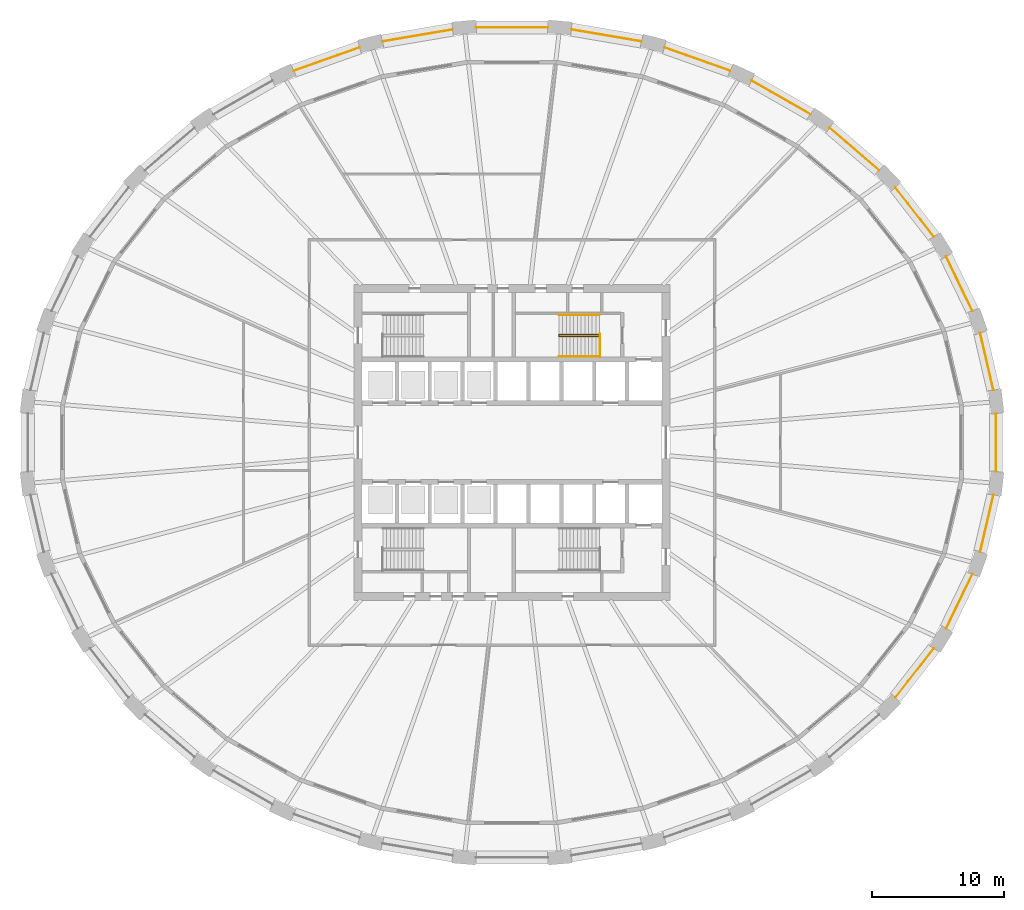
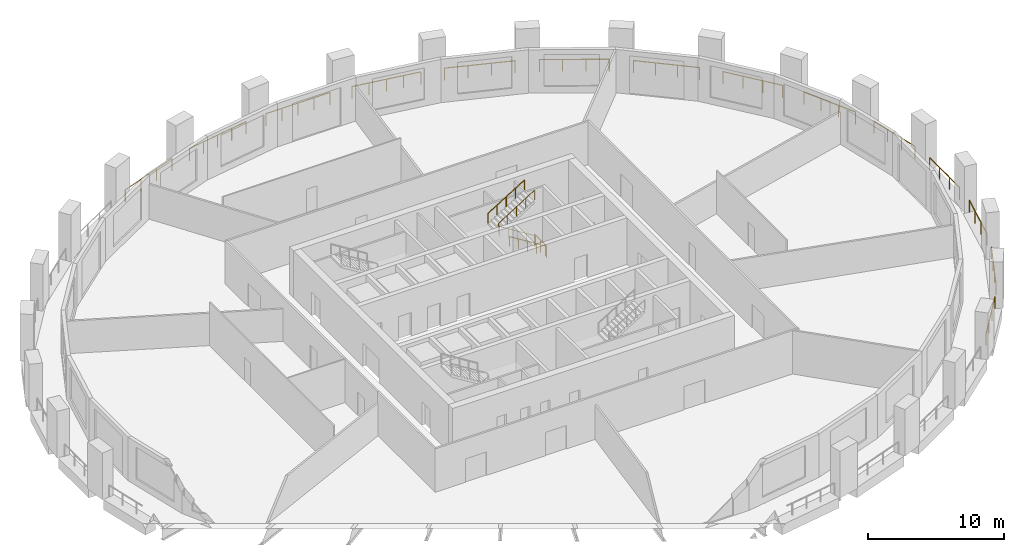
# One storey, part 9 of 10: 18 railings.
"""IFC4 building model written with IfcOpenShell, lengths in metres."""

from ifc_helpers import new_model, si_unit, direction, frame, origin, origin_2d, place, context, subcontext, project, spatial, circle, extrude, material, type_object, element, save


model = new_model("IFC4")

# Units and contexts
model_context = context("Model", 3, precision=1e-05, world=origin(), true_north=direction((0.0, 1.0)))
body_context = subcontext(model_context, "Body", "Model", "MODEL_VIEW")
ifc_project = project(units=[si_unit("LENGTHUNIT", "METRE"), si_unit("AREAUNIT", "SQUARE_METRE"), si_unit("VOLUMEUNIT", "CUBIC_METRE"), si_unit("PLANEANGLEUNIT", "RADIAN"), si_unit("MASSUNIT", "GRAM", prefix="KILO")], contexts=[model_context])

# Site, building, storey
site_placement = place(None, origin())
site = spatial("IfcSite", under=ifc_project, at=site_placement, CompositionType="ELEMENT")
building_placement = place(site_placement, origin())
building = spatial("IfcBuilding", under=site, at=building_placement, Name="Halqa Exchange Tower", CompositionType="ELEMENT")
storey_placement = place(building_placement, frame((0.0, 0.0, 61.300048828125)))
storey = spatial("IfcBuildingStorey", under=building, at=storey_placement, Name="L13", CompositionType="ELEMENT", Elevation=61.300048828125)

# Railings
ifc_material = material(Name="Stainless steel", Category="steel")
railing_type_1 = type_object("IfcRailingType", Name="Guard 1100 stainless steel", PredefinedType="GUARDRAIL", material=ifc_material)
railing_1_placement = place(storey_placement, frame((36.59228515625, 3.98291015625, 0.0)))
element("IfcRailing", 1, at=railing_1_placement, inside=storey, type_object=railing_type_1, Name="Loggia guard 1", PredefinedType="GUARDRAIL", context=body_context, shape_type="SweptSolid", body=[
    extrude(circle(Radius=0.02392578125, at=origin_2d()), frame((0.0, 0.0, 1.076171875), z_axis=(-0.226035930203, 0.974118965146, 0.0), x_axis=(-0.974118965146, -0.226035930203, 0.0)), (0.0, 0.0, 1.0), 4.455322265625),
    extrude(circle(Radius=0.02099609375, at=origin_2d()), origin(), (0.0, 0.0, 1.0), 1.052001953125),
    extrude(circle(Radius=0.02099609375, at=origin_2d()), frame((-0.335693359375, 1.44677734375, 0.0)), (0.0, 0.0, 1.0), 1.052001953125),
    extrude(circle(Radius=0.02099609375, at=origin_2d()), frame((-0.67138671875, 2.893310546875, 0.0)), (0.0, 0.0, 1.0), 1.052001953125),
    extrude(circle(Radius=0.02099609375, at=origin_2d()), frame((-1.007080078125, 4.340087890625, 0.0)), (0.0, 0.0, 1.0), 1.052001953125),
])
railing_2_placement = place(storey_placement, frame((34.989990234375, 10.010009765625, 0.0)))
element("IfcRailing", 2, at=railing_2_placement, inside=storey, type_object=railing_type_1, Name="Loggia guard 2", PredefinedType="GUARDRAIL", context=body_context, shape_type="SweptSolid", body=[
    extrude(circle(Radius=0.02392578125, at=origin_2d()), frame((0.0, 0.0, 1.076171875), z_axis=(-0.435090791332, 0.900386585472, 0.0), x_axis=(-0.900386585472, -0.435090791332, 0.0)), (0.0, 0.0, 1.0), 4.574951171875),
    extrude(circle(Radius=0.02099609375, at=origin_2d()), origin(), (0.0, 0.0, 1.0), 1.052001953125),
    extrude(circle(Radius=0.02099609375, at=origin_2d()), frame((-0.66357421875, 1.373046875, 0.0)), (0.0, 0.0, 1.0), 1.052001953125),
    extrude(circle(Radius=0.02099609375, at=origin_2d()), frame((-1.326904296875, 2.74609375, 0.0)), (0.0, 0.0, 1.0), 1.052001953125),
    extrude(circle(Radius=0.02099609375, at=origin_2d()), frame((-1.990478515625, 4.119140625, 0.0)), (0.0, 0.0, 1.0), 1.052001953125),
])
railing_3_placement = place(storey_placement, frame((32.0546875, 15.649169921875, 0.0)))
element("IfcRailing", 3, at=railing_3_placement, inside=storey, type_object=railing_type_1, Name="Loggia guard 3", PredefinedType="GUARDRAIL", context=body_context, shape_type="SweptSolid", body=[
    extrude(circle(Radius=0.02392578125, at=origin_2d()), frame((0.0, 0.0, 1.076171875), z_axis=(-0.614797843814, 0.788684735012, 0.0), x_axis=(-0.788684735012, -0.614797843814, 0.0)), (0.0, 0.0, 1.0), 4.749755859375),
    extrude(circle(Radius=0.02099609375, at=origin_2d()), origin(), (0.0, 0.0, 1.0), 1.052001953125),
    extrude(circle(Radius=0.02099609375, at=origin_2d()), frame((-0.973388671875, 1.248779296875, 0.0)), (0.0, 0.0, 1.0), 1.052001953125),
    extrude(circle(Radius=0.02099609375, at=origin_2d()), frame((-1.94677734375, 2.497314453125, 0.0)), (0.0, 0.0, 1.0), 1.052001953125),
    extrude(circle(Radius=0.02099609375, at=origin_2d()), frame((-2.920166015625, 3.74609375, 0.0)), (0.0, 0.0, 1.0), 1.052001953125),
])
railing_4_placement = place(storey_placement, frame((27.897705078125, 20.690673828125, 0.0)))
element("IfcRailing", 4, at=railing_4_placement, inside=storey, type_object=railing_type_1, Name="Loggia guard 4", PredefinedType="GUARDRAIL", context=body_context, shape_type="SweptSolid", body=[
    extrude(circle(Radius=0.02392578125, at=origin_2d()), frame((0.0, 0.0, 1.076171875), z_axis=(-0.75924963979, 0.650799496373, 0.0), x_axis=(-0.650799496373, -0.75924963979, 0.0)), (0.0, 0.0, 1.0), 4.950439453125),
    extrude(circle(Radius=0.02099609375, at=origin_2d()), origin(), (0.0, 0.0, 1.0), 1.052001953125),
    extrude(circle(Radius=0.02099609375, at=origin_2d()), frame((-1.2529296875, 1.073974609375, 0.0)), (0.0, 0.0, 1.0), 1.052001953125),
    extrude(circle(Radius=0.02099609375, at=origin_2d()), frame((-2.505615234375, 2.147705078125, 0.0)), (0.0, 0.0, 1.0), 1.052001953125),
    extrude(circle(Radius=0.02099609375, at=origin_2d()), frame((-3.758544921875, 3.2216796875, 0.0)), (0.0, 0.0, 1.0), 1.052001953125),
])
railing_5_placement = place(storey_placement, frame((22.6748046875, 24.9453125, 0.0)))
element("IfcRailing", 5, at=railing_5_placement, inside=storey, type_object=railing_type_1, Name="Loggia guard 5", PredefinedType="GUARDRAIL", context=body_context, shape_type="SweptSolid", body=[
    extrude(circle(Radius=0.02392578125, at=origin_2d()), frame((0.0, 0.0, 1.076171875), z_axis=(-0.867766755892, 0.496971686688, 0.0), x_axis=(-0.496971686688, -0.867766755892, 0.0)), (0.0, 0.0, 1.0), 5.14501953125),
    extrude(circle(Radius=0.02099609375, at=origin_2d()), origin(), (0.0, 0.0, 1.0), 1.052001953125),
    extrude(circle(Radius=0.02099609375, at=origin_2d()), frame((-1.48828125, 0.852294921875, 0.0)), (0.0, 0.0, 1.0), 1.052001953125),
    extrude(circle(Radius=0.02099609375, at=origin_2d()), frame((-2.976318359375, 1.70458984375, 0.0)), (0.0, 0.0, 1.0), 1.052001953125),
    extrude(circle(Radius=0.02099609375, at=origin_2d()), frame((-4.464599609375, 2.556884765625, 0.0)), (0.0, 0.0, 1.0), 1.052001953125),
])
railing_6_placement = place(storey_placement, frame((16.581298828125, 28.250732421875, 0.0)))
element("IfcRailing", 6, at=railing_6_placement, inside=storey, type_object=railing_type_1, Name="Loggia guard 6", PredefinedType="GUARDRAIL", context=body_context, shape_type="SweptSolid", body=[
    extrude(circle(Radius=0.02392578125, at=origin_2d()), frame((0.0, 0.0, 1.076171875), z_axis=(-0.942376278885, 0.334554851998, 0.0), x_axis=(-0.334554851998, -0.942376278885, 0.0)), (0.0, 0.0, 1.0), 5.305908203125),
    extrude(circle(Radius=0.02099609375, at=origin_2d()), origin(), (0.0, 0.0, 1.0), 1.052001953125),
    extrude(circle(Radius=0.02099609375, at=origin_2d()), frame((-1.666748046875, 0.591796875, 0.0)), (0.0, 0.0, 1.0), 1.052001953125),
    extrude(circle(Radius=0.02099609375, at=origin_2d()), frame((-3.33349609375, 1.183349609375, 0.0)), (0.0, 0.0, 1.0), 1.052001953125),
    extrude(circle(Radius=0.02099609375, at=origin_2d()), frame((-5.000244140625, 1.775146484375, 0.0)), (0.0, 0.0, 1.0), 1.052001953125),
])
railing_7_placement = place(storey_placement, frame((9.845703125, 30.478515625, 0.0)))
element("IfcRailing", 7, at=railing_7_placement, inside=storey, type_object=railing_type_1, Name="Loggia guard 7", PredefinedType="GUARDRAIL", context=body_context, shape_type="SweptSolid", body=[
    extrude(circle(Radius=0.02392578125, at=origin_2d()), frame((0.0, 0.0, 1.076171875), z_axis=(-0.985784942873, 0.168012042438, 0.0), x_axis=(-0.168012042438, -0.985784942873, 0.0)), (0.0, 0.0, 1.0), 5.411376953125),
    extrude(circle(Radius=0.02099609375, at=origin_2d()), origin(), (0.0, 0.0, 1.0), 1.052001953125),
    extrude(circle(Radius=0.02099609375, at=origin_2d()), frame((-1.33349609375, 0.227294921875, 0.0)), (0.0, 0.0, 1.0), 1.052001953125),
    extrude(circle(Radius=0.02099609375, at=origin_2d()), frame((-2.667236328125, 0.45458984375, 0.0)), (0.0, 0.0, 1.0), 1.052001953125),
    extrude(circle(Radius=0.02099609375, at=origin_2d()), frame((-4.0009765625, 0.681884765625, 0.0)), (0.0, 0.0, 1.0), 1.052001953125),
    extrude(circle(Radius=0.02099609375, at=origin_2d()), frame((-5.33447265625, 0.9091796875, 0.0)), (0.0, 0.0, 1.0), 1.052001953125),
])
railing_8_placement = place(storey_placement, frame((2.72412109375, 31.5390625, 0.0)))
element("IfcRailing", 8, at=railing_8_placement, inside=storey, type_object=railing_type_1, Name="Loggia guard 8", PredefinedType="GUARDRAIL", context=body_context, shape_type="SweptSolid", body=[
    extrude(circle(Radius=0.02392578125, at=origin_2d()), frame((0.0, 0.0, 1.076171875), z_axis=(-1.0, 0.0, 0.0), x_axis=(0.0, -1.0, 0.0)), (0.0, 0.0, 1.0), 5.4482421875),
    extrude(circle(Radius=0.02099609375, at=origin_2d()), origin(), (0.0, 0.0, 1.0), 1.052001953125),
    extrude(circle(Radius=0.02099609375, at=origin_2d()), frame((-1.362060546875, 0.0, 0.0)), (0.0, 0.0, 1.0), 1.052001953125),
    extrude(circle(Radius=0.02099609375, at=origin_2d()), frame((-2.72412109375, 0.0, 0.0)), (0.0, 0.0, 1.0), 1.052001953125),
    extrude(circle(Radius=0.02099609375, at=origin_2d()), frame((-4.086181640625, 0.0, 0.0)), (0.0, 0.0, 1.0), 1.052001953125),
    extrude(circle(Radius=0.02099609375, at=origin_2d()), frame((-5.4482421875, 0.0, 0.0)), (0.0, 0.0, 1.0), 1.052001953125),
])
railing_9_placement = place(storey_placement, frame((-4.51123046875, 31.3876953125, 0.0)))
element("IfcRailing", 9, at=railing_9_placement, inside=storey, type_object=railing_type_1, Name="Loggia guard 9", PredefinedType="GUARDRAIL", context=body_context, shape_type="SweptSolid", body=[
    extrude(circle(Radius=0.02392578125, at=origin_2d()), frame((0.0, 0.0, 1.076171875), z_axis=(-0.985784942873, -0.168012042438, 0.0), x_axis=(0.168012042438, -0.985784942873, 0.0)), (0.0, 0.0, 1.0), 5.411376953125),
    extrude(circle(Radius=0.02099609375, at=origin_2d()), origin(), (0.0, 0.0, 1.0), 1.052001953125),
    extrude(circle(Radius=0.02099609375, at=origin_2d()), frame((-1.33349609375, -0.227294921875, 0.0)), (0.0, 0.0, 1.0), 1.052001953125),
    extrude(circle(Radius=0.02099609375, at=origin_2d()), frame((-2.667236328125, -0.45458984375, 0.0)), (0.0, 0.0, 1.0), 1.052001953125),
    extrude(circle(Radius=0.02099609375, at=origin_2d()), frame((-4.0009765625, -0.681884765625, 0.0)), (0.0, 0.0, 1.0), 1.052001953125),
    extrude(circle(Radius=0.02099609375, at=origin_2d()), frame((-5.33447265625, -0.9091796875, 0.0)), (0.0, 0.0, 1.0), 1.052001953125),
])
railing_10_placement = place(storey_placement, frame((-11.5810546875, 30.02587890625, 0.0)))
element("IfcRailing", 10, at=railing_10_placement, inside=storey, type_object=railing_type_1, Name="Loggia guard 10", PredefinedType="GUARDRAIL", context=body_context, shape_type="SweptSolid", body=[
    extrude(circle(Radius=0.02392578125, at=origin_2d()), frame((0.0, 0.0, 1.076171875), z_axis=(-0.942376278885, -0.334554851998, 0.0), x_axis=(0.334554851998, -0.942376278885, 0.0)), (0.0, 0.0, 1.0), 5.305908203125),
    extrude(circle(Radius=0.02099609375, at=origin_2d()), origin(), (0.0, 0.0, 1.0), 1.052001953125),
    extrude(circle(Radius=0.02099609375, at=origin_2d()), frame((-1.666748046875, -0.591796875, 0.0)), (0.0, 0.0, 1.0), 1.052001953125),
    extrude(circle(Radius=0.02099609375, at=origin_2d()), frame((-3.33349609375, -1.183349609375, 0.0)), (0.0, 0.0, 1.0), 1.052001953125),
    extrude(circle(Radius=0.02099609375, at=origin_2d()), frame((-5.000244140625, -1.775146484375, 0.0)), (0.0, 0.0, 1.0), 1.052001953125),
])
railing_11_placement = place(storey_placement, frame((29.134521484375, -19.395263671875, 0.0)))
element("IfcRailing", 11, at=railing_11_placement, inside=storey, type_object=railing_type_1, Name="Loggia guard 29", PredefinedType="GUARDRAIL", context=body_context, shape_type="SweptSolid", body=[
    extrude(circle(Radius=0.02392578125, at=origin_2d()), frame((0.0, 0.0, 1.076171875), z_axis=(0.614797843814, 0.788684735012, 0.0), x_axis=(-0.788684735012, 0.614797843814, 0.0)), (0.0, 0.0, 1.0), 4.749755859375),
    extrude(circle(Radius=0.02099609375, at=origin_2d()), origin(), (0.0, 0.0, 1.0), 1.052001953125),
    extrude(circle(Radius=0.02099609375, at=origin_2d()), frame((0.973388671875, 1.248779296875, 0.0)), (0.0, 0.0, 1.0), 1.052001953125),
    extrude(circle(Radius=0.02099609375, at=origin_2d()), frame((1.94677734375, 2.497314453125, 0.0)), (0.0, 0.0, 1.0), 1.052001953125),
    extrude(circle(Radius=0.02099609375, at=origin_2d()), frame((2.920166015625, 3.74609375, 0.0)), (0.0, 0.0, 1.0), 1.052001953125),
])
railing_12_placement = place(storey_placement, frame((32.99951171875, -14.129150390625, 0.0)))
element("IfcRailing", 12, at=railing_12_placement, inside=storey, type_object=railing_type_1, Name="Loggia guard 30", PredefinedType="GUARDRAIL", context=body_context, shape_type="SweptSolid", body=[
    extrude(circle(Radius=0.02392578125, at=origin_2d()), frame((0.0, 0.0, 1.076171875), z_axis=(0.435090791332, 0.900386585472, 0.0), x_axis=(-0.900386585472, 0.435090791332, 0.0)), (0.0, 0.0, 1.0), 4.574951171875),
    extrude(circle(Radius=0.02099609375, at=origin_2d()), origin(), (0.0, 0.0, 1.0), 1.052001953125),
    extrude(circle(Radius=0.02099609375, at=origin_2d()), frame((0.66357421875, 1.373046875, 0.0)), (0.0, 0.0, 1.0), 1.052001953125),
    extrude(circle(Radius=0.02099609375, at=origin_2d()), frame((1.326904296875, 2.74609375, 0.0)), (0.0, 0.0, 1.0), 1.052001953125),
    extrude(circle(Radius=0.02099609375, at=origin_2d()), frame((1.990478515625, 4.119140625, 0.0)), (0.0, 0.0, 1.0), 1.052001953125),
])
railing_13_placement = place(storey_placement, frame((35.585205078125, -8.322998046875, 0.0)))
element("IfcRailing", 13, at=railing_13_placement, inside=storey, type_object=railing_type_1, Name="Loggia guard 31", PredefinedType="GUARDRAIL", context=body_context, shape_type="SweptSolid", body=[
    extrude(circle(Radius=0.02392578125, at=origin_2d()), frame((0.0, 0.0, 1.076171875), z_axis=(0.226035930203, 0.974118965146, 0.0), x_axis=(-0.974118965146, 0.226035930203, 0.0)), (0.0, 0.0, 1.0), 4.455322265625),
    extrude(circle(Radius=0.02099609375, at=origin_2d()), origin(), (0.0, 0.0, 1.0), 1.052001953125),
    extrude(circle(Radius=0.02099609375, at=origin_2d()), frame((0.335693359375, 1.44677734375, 0.0)), (0.0, 0.0, 1.0), 1.052001953125),
    extrude(circle(Radius=0.02099609375, at=origin_2d()), frame((0.67138671875, 2.893310546875, 0.0)), (0.0, 0.0, 1.0), 1.052001953125),
    extrude(circle(Radius=0.02099609375, at=origin_2d()), frame((1.007080078125, 4.340087890625, 0.0)), (0.0, 0.0, 1.0), 1.052001953125),
])
railing_14_placement = place(storey_placement, frame((36.795654296875, -2.206298828125, 0.0)))
element("IfcRailing", 14, at=railing_14_placement, inside=storey, type_object=railing_type_1, Name="Loggia guard 32", PredefinedType="GUARDRAIL", context=body_context, shape_type="SweptSolid", body=[
    extrude(circle(Radius=0.02392578125, at=origin_2d()), frame((0.0, 0.0, 1.076171875), z_axis=(0.0, 1.0, 0.0), x_axis=(-1.0, 0.0, 0.0)), (0.0, 0.0, 1.0), 4.41259765625),
    extrude(circle(Radius=0.02099609375, at=origin_2d()), origin(), (0.0, 0.0, 1.0), 1.052001953125),
    extrude(circle(Radius=0.02099609375, at=origin_2d()), frame((0.0, 1.470947265625, 0.0)), (0.0, 0.0, 1.0), 1.052001953125),
    extrude(circle(Radius=0.02099609375, at=origin_2d()), frame((0.0, 2.941650390625, 0.0)), (0.0, 0.0, 1.0), 1.052001953125),
    extrude(circle(Radius=0.02099609375, at=origin_2d()), frame((0.0, 4.41259765625, 0.0)), (0.0, 0.0, 1.0), 1.052001953125),
])
railing_type_2 = type_object("IfcRailingType", Name="Stair handrail 900", PredefinedType="HANDRAIL", material=ifc_material)
railing_15_placement = place(storey_placement, frame((6.64990234375, 8.06005859375, 0.175048828125)))
element("IfcRailing", 15, at=railing_15_placement, inside=storey, type_object=railing_type_2, Name="Handrail ST2.1", PredefinedType="HANDRAIL", context=body_context, shape_type="SweptSolid", body=[
    extrude(circle(Radius=0.02392578125, at=origin_2d()), frame((0.0, 0.0, 0.8759765625), z_axis=(-0.848009633417, 0.0, 0.529980812513), x_axis=(0.0, -1.0, 0.0)), (0.0, 0.0, 1.0), 3.6318359375),
    extrude(circle(Radius=0.02392578125, at=origin_2d()), frame((-3.079833984375, 0.0, 2.80078125), z_axis=(0.0, 0.595870227118, 0.803080738428), x_axis=(-1.0, 0.0, 0.0)), (0.0, 0.0, 1.0), 0.218017578125),
    extrude(circle(Radius=0.02392578125, at=origin_2d()), frame((-3.079833984375, 0.1298828125, 2.9755859375), z_axis=(0.847979421464, 0.0, 0.530029150871), x_axis=(0.0, 1.0, 0.0)), (0.0, 0.0, 1.0), 3.632080078125),
    extrude(circle(Radius=0.02099609375, at=origin_2d()), origin(), (0.0, 0.0, 1.0), 0.851806640625),
    extrude(circle(Radius=0.02099609375, at=origin_2d()), frame((-0.77001953125, 0.0, 0.481201171875)), (0.0, 0.0, 1.0), 0.851806640625),
    extrude(circle(Radius=0.02099609375, at=origin_2d()), frame((-1.5400390625, 0.0, 0.96240234375)), (0.0, 0.0, 1.0), 0.851806640625),
    extrude(circle(Radius=0.02099609375, at=origin_2d()), frame((-2.309814453125, 0.0, 1.443603515625)), (0.0, 0.0, 1.0), 0.851806640625),
    extrude(circle(Radius=0.02099609375, at=origin_2d()), frame((-3.079833984375, 0.0, 1.9248046875)), (0.0, 0.0, 1.0), 0.851806640625),
    extrude(circle(Radius=0.02099609375, at=origin_2d()), frame((-3.079833984375, 0.1298828125, 2.099853515625)), (0.0, 0.0, 1.0), 0.851806640625),
    extrude(circle(Radius=0.02099609375, at=origin_2d()), frame((-2.309814453125, 0.1298828125, 2.5810546875)), (0.0, 0.0, 1.0), 0.851806640625),
    extrude(circle(Radius=0.02099609375, at=origin_2d()), frame((-1.5400390625, 0.1298828125, 3.0625)), (0.0, 0.0, 1.0), 0.851806640625),
    extrude(circle(Radius=0.02099609375, at=origin_2d()), frame((-0.77001953125, 0.1298828125, 3.543701171875)), (0.0, 0.0, 1.0), 0.851806640625),
    extrude(circle(Radius=0.02099609375, at=origin_2d()), frame((0.0, 0.1298828125, 4.02490234375)), (0.0, 0.0, 1.0), 0.851806640625),
])
railing_16_placement = place(storey_placement, frame((6.64990234375, 6.550048828125, 0.175048828125)))
element("IfcRailing", 16, at=railing_16_placement, inside=storey, type_object=railing_type_2, Name="Handrail ST2.2", PredefinedType="HANDRAIL", context=body_context, shape_type="SweptSolid", body=[
    extrude(circle(Radius=0.02392578125, at=origin_2d()), frame((0.0, 0.0, 0.8759765625), z_axis=(-0.848009633417, 0.0, 0.529980812513), x_axis=(0.0, -1.0, 0.0)), (0.0, 0.0, 1.0), 3.6318359375),
    extrude(circle(Radius=0.02099609375, at=origin_2d()), origin(), (0.0, 0.0, 1.0), 0.851806640625),
    extrude(circle(Radius=0.02099609375, at=origin_2d()), frame((-0.77001953125, 0.0, 0.481201171875)), (0.0, 0.0, 1.0), 0.851806640625),
    extrude(circle(Radius=0.02099609375, at=origin_2d()), frame((-1.5400390625, 0.0, 0.96240234375)), (0.0, 0.0, 1.0), 0.851806640625),
    extrude(circle(Radius=0.02099609375, at=origin_2d()), frame((-2.309814453125, 0.0, 1.443603515625)), (0.0, 0.0, 1.0), 0.851806640625),
    extrude(circle(Radius=0.02099609375, at=origin_2d()), frame((-3.079833984375, 0.0, 1.9248046875)), (0.0, 0.0, 1.0), 0.851806640625),
])
railing_17_placement = place(storey_placement, frame((3.570068359375, 9.699951171875, 2.27490234375)))
element("IfcRailing", 17, at=railing_17_placement, inside=storey, type_object=railing_type_2, Name="Handrail ST2.3", PredefinedType="HANDRAIL", context=body_context, shape_type="SweptSolid", body=[
    extrude(circle(Radius=0.02392578125, at=origin_2d()), frame((0.0, 0.0, 0.8759765625), z_axis=(0.847979421464, 0.0, 0.530029150871), x_axis=(0.0, 1.0, 0.0)), (0.0, 0.0, 1.0), 3.632080078125),
    extrude(circle(Radius=0.02099609375, at=origin_2d()), origin(), (0.0, 0.0, 1.0), 0.851806640625),
    extrude(circle(Radius=0.02099609375, at=origin_2d()), frame((0.77001953125, 0.0, 0.481201171875)), (0.0, 0.0, 1.0), 0.851806640625),
    extrude(circle(Radius=0.02099609375, at=origin_2d()), frame((1.5400390625, 0.0, 0.96240234375)), (0.0, 0.0, 1.0), 0.851806640625),
    extrude(circle(Radius=0.02099609375, at=origin_2d()), frame((2.309814453125, 0.0, 1.44384765625)), (0.0, 0.0, 1.0), 0.851806640625),
    extrude(circle(Radius=0.02099609375, at=origin_2d()), frame((3.079833984375, 0.0, 1.925048828125)), (0.0, 0.0, 1.0), 0.851806640625),
])
railing_type_3 = type_object("IfcRailingType", Name="Stair well guard 1100", PredefinedType="GUARDRAIL", material=ifc_material)
railing_18_placement = place(storey_placement, frame((6.699951171875, 6.5, 0.0)))
element("IfcRailing", 18, at=railing_18_placement, inside=storey, type_object=railing_type_3, Name="Guard ST2 well", PredefinedType="GUARDRAIL", context=body_context, shape_type="SweptSolid", body=[
    extrude(circle(Radius=0.02392578125, at=origin_2d()), frame((0.0, 0.0, 1.076171875), z_axis=(0.0, 1.0, 0.0), x_axis=(-1.0, 0.0, 0.0)), (0.0, 0.0, 1.0), 1.75),
    extrude(circle(Radius=0.02099609375, at=origin_2d()), origin(), (0.0, 0.0, 1.0), 1.052001953125),
    extrude(circle(Radius=0.02099609375, at=origin_2d()), frame((0.0, 0.875, 0.0)), (0.0, 0.0, 1.0), 1.052001953125),
    extrude(circle(Radius=0.02099609375, at=origin_2d()), frame((0.0, 1.75, 0.0)), (0.0, 0.0, 1.0), 1.052001953125),
])

save(model, "model.ifc")
